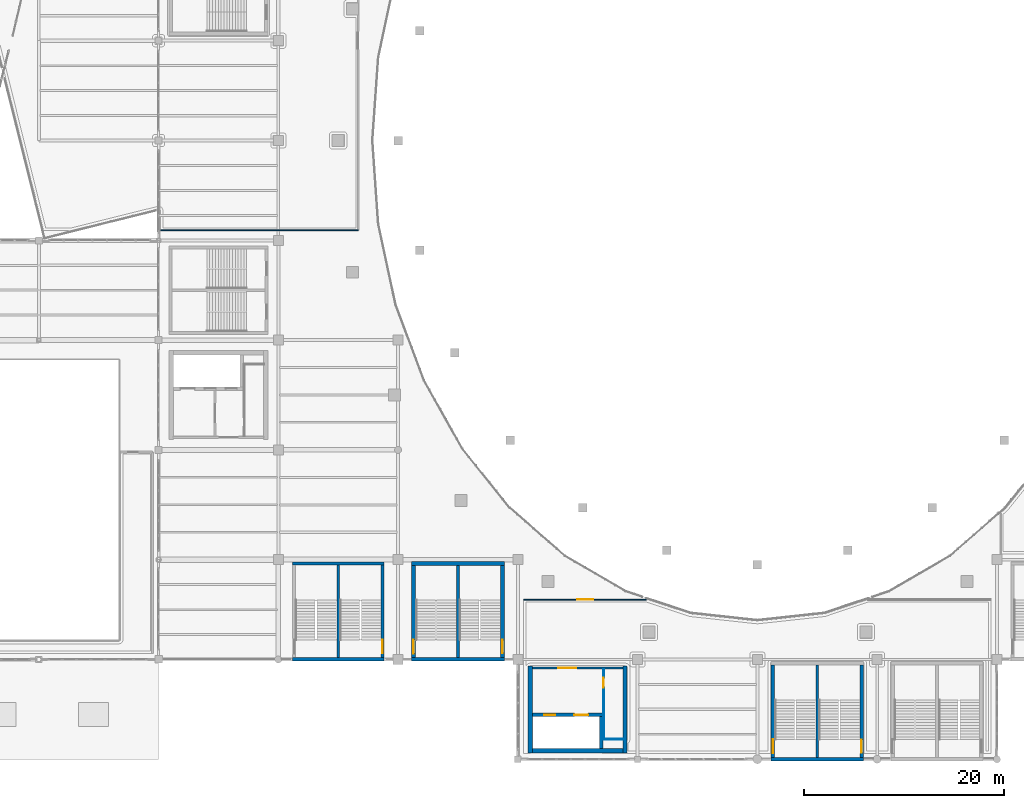
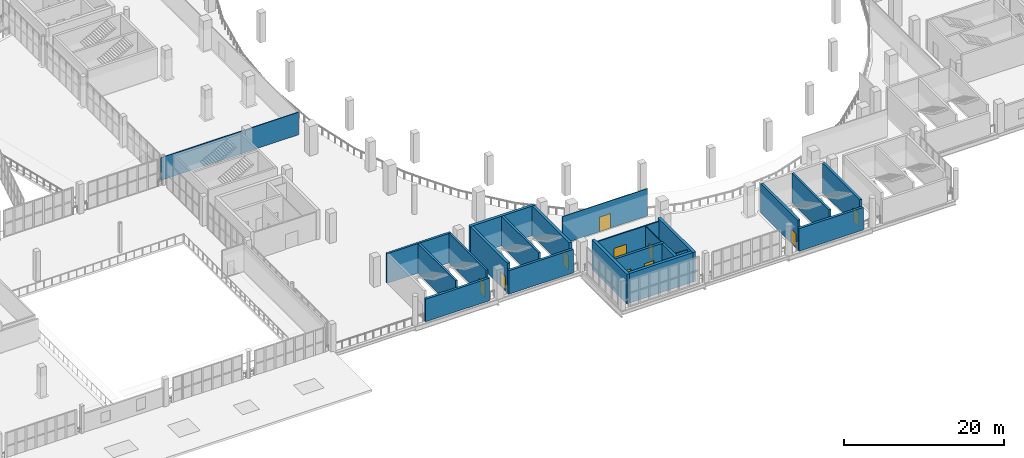
# One storey, part 80 of 108: 23 walls, 10 doors, 10 openings.
"""IFC4 building model written with IfcOpenShell, lengths in metres."""

from ifc_helpers import new_model, si_unit, direction, frame, frame_2d, origin, place, context, subcontext, project, spatial, rectangle, extrude, material, layer, layer_set, type_object, element, fill, save


model = new_model("IFC4")

# Units and contexts
model_context = context("Model", 3, precision=1e-05, world=origin(), true_north=direction((0.0, 1.0)))
body_context = subcontext(model_context, "Body", "Model", "MODEL_VIEW")
ifc_project = project(units=[si_unit("LENGTHUNIT", "METRE"), si_unit("AREAUNIT", "SQUARE_METRE"), si_unit("VOLUMEUNIT", "CUBIC_METRE"), si_unit("PLANEANGLEUNIT", "RADIAN"), si_unit("MASSUNIT", "GRAM", prefix="KILO")], contexts=[model_context])

# Site, building, storey
site_placement = place(None, origin())
site = spatial("IfcSite", under=ifc_project, at=site_placement, CompositionType="ELEMENT")
building_placement = place(site_placement, origin())
building = spatial("IfcBuilding", under=site, at=building_placement, Name="Brinegate Civic Arena", CompositionType="ELEMENT")
storey_placement = place(building_placement, frame((0.0, 0.0, 10.199951171875)))
storey = spatial("IfcBuildingStorey", under=building, at=storey_placement, Name="L02", CompositionType="ELEMENT", Elevation=10.199951171875)

# Wall, opening, door
ifc_material_1 = material(Name="Concrete C50/60", Category="concrete")
ifc_layer_1 = layer(ifc_material_1, 0.35009765625, Name="Concrete C50/60")
ifc_layer_set_1 = layer_set([ifc_layer_1], Name="Concrete C50/60")
wall_type_1 = type_object("IfcWallType", Name="WALL-CORE-SHEAR-350", PredefinedType="SHEAR", material=ifc_layer_set_1)
wall_1_placement = place(storey_placement, frame((109.550048828125, 0.175048828125, 0.0), z_axis=(0.0, 0.0, 1.0), x_axis=(0.0, 1.0, 0.0)))
wall_1 = element("IfcWall", 1, at=wall_1_placement, inside=storey, type_object=wall_type_1, Name="Stair ST-16 West Shear Wall L02 (WBF-23)", PredefinedType="SHEAR", context=body_context, shape_type="SweptSolid", body=[
    extrude(rectangle(XDim=9.25, YDim=0.35009765625, at=frame_2d((4.625, 0.0))), origin(), (0.0, 0.0, 1.0), 4.5),
])
opening_1_placement = place(wall_1_placement, frame((0.425048828125, 0.0, 0.0)))
opening_1 = element("IfcOpeningElement", 2, at=opening_1_placement, cuts=wall_1, Name="Opening D-ST16A-L02", PredefinedType="OPENING", context=body_context, shape_type="SweptSolid", body=[
    extrude(rectangle(XDim=1.39990234375, YDim=2.199951171875, at=frame_2d((0.699951171875, 1.10009765625))), frame((0.0, 0.18505859375, 0.0), z_axis=(0.0, -1.0, 0.0), x_axis=(1.0, 0.0, 0.0)), (0.0, 0.0, 1.0), 0.3701171875),
])
ifc_material_2 = material(Name="Galvanized hurricane steel", Category="steel")
door_type_1 = type_object("IfcDoorType", Name="DOOR-STAIR-2400X2200", OperationType="NOTDEFINED", PredefinedType="DOOR", material=ifc_material_2)
door_1_placement = place(opening_1_placement, frame((1.39990234375, 0.0, 0.0), z_axis=(0.0, 0.0, 1.0), x_axis=(-1.0, 0.0, 0.0)))
door_1 = element("IfcDoor", 3, at=door_1_placement, inside=storey, type_object=door_type_1, Name="Protected Exit Stair Door D-ST16A-L02", OperationType="DOUBLE_DOOR_SINGLE_SWING", OverallHeight=2.199951171875, OverallWidth=1.39990234375, PredefinedType="DOOR", context=body_context, shape_type="SweptSolid", body=[
    extrude(rectangle(XDim=1.39990234375, YDim=2.199951171875, at=frame_2d((0.699951171875, 1.10009765625))), frame((0.0, 0.02490234375, 0.0), z_axis=(0.0, -1.0, 0.0), x_axis=(1.0, 0.0, 0.0)), (0.0, 0.0, 1.0), 0.050048828125),
])
fill(opening_1, door_1)

wall_2_placement = place(storey_placement, frame((118.449951171875, 0.175048828125, 0.0), z_axis=(0.0, 0.0, 1.0), x_axis=(0.0, 1.0, 0.0)))
wall_2 = element("IfcWall", 4, at=wall_2_placement, inside=storey, type_object=wall_type_1, Name="Stair ST-16 East Shear Wall L02 (WBF-24)", PredefinedType="SHEAR", context=body_context, shape_type="SweptSolid", body=[
    extrude(rectangle(XDim=9.25, YDim=0.35009765625, at=frame_2d((4.625, 0.0))), origin(), (0.0, 0.0, 1.0), 4.5),
])
opening_2_placement = place(wall_2_placement, frame((0.465087890625, 0.0, 0.0)))
opening_2 = element("IfcOpeningElement", 5, at=opening_2_placement, cuts=wall_2, Name="Opening D-ST16B-L02", PredefinedType="OPENING", context=body_context, shape_type="SweptSolid", body=[
    extrude(rectangle(XDim=1.320068359375, YDim=2.199951171875, at=frame_2d((0.66015625, 1.10009765625))), frame((0.0, 0.18505859375, 0.0), z_axis=(0.0, -1.0, 0.0), x_axis=(1.0, 0.0, 0.0)), (0.0, 0.0, 1.0), 0.3701171875),
])
door_type_2 = type_object("IfcDoorType", Name="DOOR-STAIR-2200X2200", OperationType="NOTDEFINED", PredefinedType="DOOR", material=ifc_material_2)
door_2_placement = place(opening_2_placement, origin())
door_2 = element("IfcDoor", 6, at=door_2_placement, inside=storey, type_object=door_type_2, Name="Protected Exit Stair Door D-ST16B-L02", OperationType="DOUBLE_DOOR_SINGLE_SWING", OverallHeight=2.199951171875, OverallWidth=1.320068359375, PredefinedType="DOOR", context=body_context, shape_type="SweptSolid", body=[
    extrude(rectangle(XDim=1.320068359375, YDim=2.199951171875, at=frame_2d((0.66015625, 1.10009765625))), frame((0.0, 0.02490234375, 0.0), z_axis=(0.0, -1.0, 0.0), x_axis=(1.0, 0.0, 0.0)), (0.0, 0.0, 1.0), 0.050048828125),
])
fill(opening_2, door_2)

# Wall, openings, doors
wall_3_placement = place(storey_placement, frame((85.4599609375, 4.449951171875, 0.0), z_axis=(0.0, 0.0, 1.0), x_axis=(1.0, 0.0, 0.0)))
wall_3 = element("IfcWall", 7, at=wall_3_placement, inside=storey, type_object=wall_type_1, Name="Core K4 Lift Shaft Front Wall L02 (WBH-19)", PredefinedType="SHEAR", context=body_context, shape_type="SweptSolid", body=[
    extrude(rectangle(XDim=7.06494140625, YDim=0.35009765625, at=frame_2d((3.532470703125, 0.0))), origin(), (0.0, 0.0, 1.0), 4.5),
])
opening_3_placement = place(wall_3_placement, frame((1.18994140625, 0.0, 0.0)))
opening_3 = element("IfcOpeningElement", 8, at=opening_3_placement, cuts=wall_3, Name="Opening LD-PL6-L02", PredefinedType="OPENING", context=body_context, shape_type="SweptSolid", body=[
    extrude(rectangle(XDim=1.10009765625, YDim=2.199951171875, at=frame_2d((0.550048828125, 1.10009765625))), frame((0.0, 0.18505859375, 0.0), z_axis=(0.0, -1.0, 0.0), x_axis=(1.0, 0.0, 0.0)), (0.0, 0.0, 1.0), 0.3701171875),
])
opening_4_placement = place(wall_3_placement, frame((4.18994140625, 0.0, 0.0)))
opening_4 = element("IfcOpeningElement", 9, at=opening_4_placement, cuts=wall_3, Name="Opening LD-GL1-L02", PredefinedType="OPENING", context=body_context, shape_type="SweptSolid", body=[
    extrude(rectangle(XDim=1.39990234375, YDim=2.300048828125, at=frame_2d((0.699951171875, 1.14990234375))), frame((0.0, 0.18505859375, 0.0), z_axis=(0.0, -1.0, 0.0), x_axis=(1.0, 0.0, 0.0)), (0.0, 0.0, 1.0), 0.3701171875),
])
ifc_material_3 = material(Name="Architectural stainless steel balustrade", Category="steel")
door_type_3 = type_object("IfcDoorType", Name="DOOR-LIFT-1100X2200", OperationType="SLIDING_TO_LEFT", PredefinedType="DOOR", material=ifc_material_3)
door_3_placement = place(opening_3_placement, origin())
door_3 = element("IfcDoor", 10, at=door_3_placement, inside=storey, type_object=door_type_3, Name="Sliding Lift Landing Door LD-PL6-L02", OperationType="SLIDING_TO_LEFT", OverallHeight=2.199951171875, OverallWidth=1.10009765625, PredefinedType="DOOR", context=body_context, shape_type="SweptSolid", body=[
    extrude(rectangle(XDim=1.10009765625, YDim=2.199951171875, at=frame_2d((0.550048828125, 1.10009765625))), frame((0.0, 0.02490234375, 0.0), z_axis=(0.0, -1.0, 0.0), x_axis=(1.0, 0.0, 0.0)), (0.0, 0.0, 1.0), 0.050048828125),
])
fill(opening_3, door_3)
door_type_4 = type_object("IfcDoorType", Name="DOOR-LIFT-1400X2300", OperationType="SLIDING_TO_LEFT", PredefinedType="DOOR", material=ifc_material_3)
door_4_placement = place(opening_4_placement, origin())
door_4 = element("IfcDoor", 11, at=door_4_placement, inside=storey, type_object=door_type_4, Name="Sliding Lift Landing Door LD-GL1-L02", OperationType="SLIDING_TO_LEFT", OverallHeight=2.300048828125, OverallWidth=1.39990234375, PredefinedType="DOOR", context=body_context, shape_type="SweptSolid", body=[
    extrude(rectangle(XDim=1.39990234375, YDim=2.300048828125, at=frame_2d((0.699951171875, 1.14990234375))), frame((0.0, 0.02490234375, 0.0), z_axis=(0.0, -1.0, 0.0), x_axis=(1.0, 0.0, 0.0)), (0.0, 0.0, 1.0), 0.050048828125),
])
fill(opening_4, door_4)

# Walls
wall_4_placement = place(storey_placement, frame((92.35009765625, 1.06005859375, 0.0), z_axis=(0.0, 0.0, 1.0), x_axis=(0.0, 1.0, 0.0)))
element("IfcWall", 12, at=wall_4_placement, inside=storey, type_object=wall_type_1, Name="Core K4 Lift Shaft End Wall L02 (WBH-20)", PredefinedType="SHEAR", context=body_context, shape_type="SweptSolid", body=[
    extrude(rectangle(XDim=3.21484375, YDim=0.35009765625, at=frame_2d((1.607421875, 0.0))), origin(), (0.0, 0.0, 1.0), 4.5),
])
ifc_layer_2 = layer(ifc_material_1, 0.389892578125, Name="Concrete C50/60")
ifc_layer_set_2 = layer_set([ifc_layer_2], Name="Concrete C50/60")
wall_type_2 = type_object("IfcWallType", Name="WALL-CORE-SHEAR-390", PredefinedType="SHEAR", material=ifc_layer_set_2)
wall_5_placement = place(storey_placement, frame((73.35498046875, 19.60009765625, 0.0), z_axis=(0.0, 0.0, 1.0), x_axis=(1.0, 0.0, 0.0)))
element("IfcWall", 13, at=wall_5_placement, inside=storey, type_object=wall_type_2, Name="Stair ST-12 North Shear Wall L02 (WBE-16)", PredefinedType="SHEAR", context=body_context, shape_type="SweptSolid", body=[
    extrude(rectangle(XDim=9.2900390625, YDim=0.389892578125, at=frame_2d((4.64501953125, 0.0))), origin(), (0.0, 0.0, 1.0), 4.5),
])

# Wall, opening, door
wall_6_placement = place(storey_placement, frame((73.550048828125, 10.175048828125, 0.0), z_axis=(0.0, 0.0, 1.0), x_axis=(0.0, 1.0, 0.0)))
wall_6 = element("IfcWall", 14, at=wall_6_placement, inside=storey, type_object=wall_type_2, Name="Stair ST-12 West Shear Wall L02 (WBE-17)", PredefinedType="SHEAR", context=body_context, shape_type="SweptSolid", body=[
    extrude(rectangle(XDim=9.22998046875, YDim=0.389892578125, at=frame_2d((4.614990234375, 0.0))), origin(), (0.0, 0.0, 1.0), 4.5),
])
opening_5_placement = place(wall_6_placement, frame((0.425048828125, 0.0, 0.0)))
opening_5 = element("IfcOpeningElement", 15, at=opening_5_placement, cuts=wall_6, Name="Opening D-ST12A-L02", PredefinedType="OPENING", context=body_context, shape_type="SweptSolid", body=[
    extrude(rectangle(XDim=1.39990234375, YDim=2.199951171875, at=frame_2d((0.699951171875, 1.10009765625))), frame((0.0, 0.204833984375, 0.0), z_axis=(0.0, -1.0, 0.0), x_axis=(1.0, 0.0, 0.0)), (0.0, 0.0, 1.0), 0.409912109375),
])
door_5_placement = place(opening_5_placement, frame((1.39990234375, 0.0, 0.0), z_axis=(0.0, 0.0, 1.0), x_axis=(-1.0, 0.0, 0.0)))
door_5 = element("IfcDoor", 16, at=door_5_placement, inside=storey, type_object=door_type_1, Name="Protected Exit Stair Door D-ST12A-L02", OperationType="DOUBLE_DOOR_SINGLE_SWING", OverallHeight=2.199951171875, OverallWidth=1.39990234375, PredefinedType="DOOR", context=body_context, shape_type="SweptSolid", body=[
    extrude(rectangle(XDim=1.39990234375, YDim=2.199951171875, at=frame_2d((0.699951171875, 1.10009765625))), frame((0.0, 0.02490234375, 0.0), z_axis=(0.0, -1.0, 0.0), x_axis=(1.0, 0.0, 0.0)), (0.0, 0.0, 1.0), 0.050048828125),
])
fill(opening_5, door_5)

wall_7_placement = place(storey_placement, frame((82.449951171875, 10.175048828125, 0.0), z_axis=(0.0, 0.0, 1.0), x_axis=(0.0, 1.0, 0.0)))
wall_7 = element("IfcWall", 17, at=wall_7_placement, inside=storey, type_object=wall_type_2, Name="Stair ST-12 East Shear Wall L02 (WBE-18)", PredefinedType="SHEAR", context=body_context, shape_type="SweptSolid", body=[
    extrude(rectangle(XDim=9.22998046875, YDim=0.389892578125, at=frame_2d((4.614990234375, 0.0))), origin(), (0.0, 0.0, 1.0), 4.5),
])
opening_6_placement = place(wall_7_placement, frame((0.465087890625, 0.0, 0.0)))
opening_6 = element("IfcOpeningElement", 18, at=opening_6_placement, cuts=wall_7, Name="Opening D-ST12B-L02", PredefinedType="OPENING", context=body_context, shape_type="SweptSolid", body=[
    extrude(rectangle(XDim=1.320068359375, YDim=2.199951171875, at=frame_2d((0.66015625, 1.10009765625))), frame((0.0, 0.204833984375, 0.0), z_axis=(0.0, -1.0, 0.0), x_axis=(1.0, 0.0, 0.0)), (0.0, 0.0, 1.0), 0.409912109375),
])
door_6_placement = place(opening_6_placement, origin())
door_6 = element("IfcDoor", 19, at=door_6_placement, inside=storey, type_object=door_type_2, Name="Protected Exit Stair Door D-ST12B-L02", OperationType="DOUBLE_DOOR_SINGLE_SWING", OverallHeight=2.199951171875, OverallWidth=1.320068359375, PredefinedType="DOOR", context=body_context, shape_type="SweptSolid", body=[
    extrude(rectangle(XDim=1.320068359375, YDim=2.199951171875, at=frame_2d((0.66015625, 1.10009765625))), frame((0.0, 0.02490234375, 0.0), z_axis=(0.0, -1.0, 0.0), x_axis=(1.0, 0.0, 0.0)), (0.0, 0.0, 1.0), 0.050048828125),
])
fill(opening_6, door_6)

# Walls
ifc_layer_3 = layer(ifc_material_1, 0.419921875, Name="Concrete C50/60")
ifc_layer_set_3 = layer_set([ifc_layer_3], Name="Concrete C50/60")
wall_type_3 = type_object("IfcWallType", Name="WALL-CORE-SHEAR-420", PredefinedType="SHEAR", material=ifc_layer_set_3)
for number, where, z_axis, x_axis, name in (
    (20, (85.25, 0.639892578125, 0.0), (0.0, 0.0, 1.0), (0.0, 1.0, 0.0), "Core K4 West Shear Wall L02 (WBH-16)"),
    (21, (94.75, 0.639892578125, 0.0), (0.0, 0.0, 1.0), (0.0, 1.0, 0.0), "Core K4 East Shear Wall L02 (WBH-17)"),
):
    element("IfcWall", number, at=place(storey_placement, frame(where, z_axis=z_axis, x_axis=x_axis)), inside=storey, type_object=wall_type_3, Name=name, PredefinedType="SHEAR", context=body_context, shape_type="SweptSolid", body=[
        extrude(rectangle(XDim=8.72021484375, YDim=0.419921875, at=frame_2d((4.360107421875, 0.0))), origin(), (0.0, 0.0, 1.0), 4.5),
    ])
wall_8_placement = place(storey_placement, frame((85.4599609375, 0.85009765625, 0.0), z_axis=(0.0, 0.0, 1.0), x_axis=(1.0, 0.0, 0.0)))
element("IfcWall", 22, at=wall_8_placement, inside=storey, type_object=wall_type_3, Name="Core K4 South Shear Wall L02 (WBH-18)", PredefinedType="SHEAR", context=body_context, shape_type="SweptSolid", body=[
    extrude(rectangle(XDim=9.080078125, YDim=0.419921875, at=frame_2d((4.5400390625, 0.0))), origin(), (0.0, 0.0, 1.0), 4.5),
])
ifc_layer_4 = layer(ifc_material_1, 0.35009765625, Name="Concrete C50/60")
ifc_layer_set_4 = layer_set([ifc_layer_4], Name="Concrete C50/60")
wall_type_4 = type_object("IfcWallType", Name="WALL-EXT-STAIR-SHEAR-350", PredefinedType="SHEAR", material=ifc_layer_set_4)
wall_9_placement = place(storey_placement, frame((61.405029296875, 10.0, 0.0), z_axis=(0.0, 0.0, 1.0), x_axis=(1.0, 0.0, 0.0)))
element("IfcWall", 23, at=wall_9_placement, inside=storey, type_object=wall_type_4, Name="Stair ST-02 South Shear Wall L02 (WBB-42)", PredefinedType="SHEAR", context=body_context, shape_type="SweptSolid", body=[
    extrude(rectangle(XDim=9.18994140625, YDim=0.35009765625, at=frame_2d((4.594970703125, 0.0))), origin(), (0.0, 0.0, 1.0), 3.43701171875),
])
wall_10_placement = place(storey_placement, frame((73.35498046875, 10.0, 0.0), z_axis=(0.0, 0.0, 1.0), x_axis=(1.0, 0.0, 0.0)))
element("IfcWall", 24, at=wall_10_placement, inside=storey, type_object=wall_type_4, Name="Stair ST-12 South Shear Wall L02 (WBE-15)", PredefinedType="SHEAR", context=body_context, shape_type="SweptSolid", body=[
    extrude(rectangle(XDim=9.2900390625, YDim=0.35009765625, at=frame_2d((4.64501953125, 0.0))), origin(), (0.0, 0.0, 1.0), 3.5859375),
])
wall_11_placement = place(storey_placement, frame((109.375, 0.0, 0.0), z_axis=(0.0, 0.0, 1.0), x_axis=(1.0, 0.0, 0.0)))
element("IfcWall", 25, at=wall_11_placement, inside=storey, type_object=wall_type_4, Name="Stair ST-16 South Shear Wall L02 (WBF-21)", PredefinedType="SHEAR", context=body_context, shape_type="SweptSolid", body=[
    extrude(rectangle(XDim=9.25, YDim=0.35009765625, at=frame_2d((4.625, 0.0))), origin(), (0.0, 0.0, 1.0), 3.43701171875),
])

# Wall, opening, door
ifc_material_4 = material(Name="Concrete blockwork masonry", Category="masonry")
ifc_layer_5 = layer(ifc_material_4, 0.18994140625, Name="Concrete blockwork masonry")
ifc_layer_set_5 = layer_set([ifc_layer_5], Name="Concrete blockwork masonry")
wall_type_5 = type_object("IfcWallType", Name="WALL-PART-RATED-190", PredefinedType="PARTITIONING", material=ifc_layer_set_5)
wall_12_placement = place(storey_placement, frame((85.469970703125, 9.14990234375, 0.0), z_axis=(0.0, 0.0, 1.0), x_axis=(1.0, 0.0, 0.0)))
wall_12 = element("IfcWall", 26, at=wall_12_placement, inside=storey, type_object=wall_type_5, Name="Core K4 Concourse Lobby Wall L02 (WBH-21)", PredefinedType="PARTITIONING", context=body_context, shape_type="SweptSolid", body=[
    extrude(rectangle(XDim=9.06005859375, YDim=0.18994140625, at=frame_2d((4.530029296875, 0.0))), origin(), (0.0, 0.0, 1.0), 4.150146484375),
])
opening_7_placement = place(wall_12_placement, frame((2.60009765625, 0.0, 0.0)))
opening_7 = element("IfcOpeningElement", 27, at=opening_7_placement, cuts=wall_12, Name="Opening D-K4L-L02", PredefinedType="OPENING", context=body_context, shape_type="SweptSolid", body=[
    extrude(rectangle(XDim=1.800048828125, YDim=2.300048828125, at=frame_2d((0.89990234375, 1.14990234375))), frame((0.0, 0.10498046875, 0.0), z_axis=(0.0, -1.0, 0.0), x_axis=(1.0, 0.0, 0.0)), (0.0, 0.0, 1.0), 0.2099609375),
])
ifc_material_5 = material(Name="Marine grade aluminium", Category="aluminium")
door_type_5 = type_object("IfcDoorType", Name="DOOR-CONC-1800X2300", OperationType="NOTDEFINED", PredefinedType="DOOR", material=ifc_material_5)
door_7_placement = place(opening_7_placement, origin())
door_7 = element("IfcDoor", 28, at=door_7_placement, inside=storey, type_object=door_type_5, Name="Lift Lobby Door D-K4L-L02", OperationType="DOUBLE_DOOR_SINGLE_SWING", OverallHeight=2.300048828125, OverallWidth=1.800048828125, PredefinedType="DOOR", context=body_context, shape_type="SweptSolid", body=[
    extrude(rectangle(XDim=1.800048828125, YDim=2.300048828125, at=frame_2d((0.89990234375, 1.14990234375))), frame((0.0, 0.02490234375, 0.0), z_axis=(0.0, -1.0, 0.0), x_axis=(1.0, 0.0, 0.0)), (0.0, 0.0, 1.0), 0.050048828125),
])
fill(opening_7, door_7)

# Wall
ifc_material_6 = material(Name="Fire-rated gypsum partition assembly")
ifc_layer_6 = layer(ifc_material_6, 0.114990234375, Name="Fire-rated gypsum partition assembly")
ifc_layer_set_6 = layer_set([ifc_layer_6], Name="Fire-rated gypsum partition assembly")
wall_type_6 = type_object("IfcWallType", Name="WALL-PART-STD-115", PredefinedType="PARTITIONING", material=ifc_layer_set_6)
wall_13_placement = place(storey_placement, frame((68.0, 53.0, 0.0), z_axis=(0.0, 0.0, 1.0), x_axis=(-1.0, 0.0, 0.0)))
element("IfcWall", 29, at=wall_13_placement, inside=storey, type_object=wall_type_6, Name="Bahamas Founders VIP Club Lounge Partition Wall E48 (WBJ-19)", PredefinedType="PARTITIONING", context=body_context, shape_type="SweptSolid", body=[
    extrude(rectangle(XDim=19.800048828125, YDim=0.114990234375, at=frame_2d((9.89990234375, 0.0))), origin(), (0.0, 0.0, 1.0), 3.43701171875),
])

# Wall, opening, door
ifc_layer_7 = layer(ifc_material_4, 0.10009765625, Name="Concrete blockwork masonry")
ifc_layer_set_7 = layer_set([ifc_layer_7], Name="Concrete blockwork masonry")
wall_type_7 = type_object("IfcWallType", Name="WALL-PART-WET-100", PredefinedType="PARTITIONING", material=ifc_layer_set_7)
wall_14_placement = place(storey_placement, frame((92.60009765625, 2.0, 0.0), z_axis=(0.0, 0.0, 1.0), x_axis=(0.0, 1.0, 0.0)))
wall_14 = element("IfcWall", 30, at=wall_14_placement, inside=storey, type_object=wall_type_7, Name="Accessible WC K4 Partition L02 (WBH-22)", PredefinedType="PARTITIONING", context=body_context, shape_type="SweptSolid", body=[
    extrude(rectangle(XDim=7.050048828125, YDim=0.10009765625, at=frame_2d((3.52490234375, 0.0))), origin(), (0.0, 0.0, 1.0), 4.150146484375),
])
opening_8_placement = place(wall_14_placement, frame((5.14990234375, 0.0, 0.0)))
opening_8 = element("IfcOpeningElement", 31, at=opening_8_placement, cuts=wall_14, Name="Opening D-K4W-L02", PredefinedType="OPENING", context=body_context, shape_type="SweptSolid", body=[
    extrude(rectangle(XDim=1.0, YDim=2.10009765625, at=frame_2d((0.5, 1.050048828125))), frame((0.0, 0.06005859375, 0.0), z_axis=(0.0, -1.0, 0.0), x_axis=(1.0, 0.0, 0.0)), (0.0, 0.0, 1.0), 0.1201171875),
])
ifc_material_7 = material(Name="Hardwood acoustic timber door", Category="wood")
door_type_6 = type_object("IfcDoorType", Name="DOOR-AWC-1000X2100", OperationType="NOTDEFINED", PredefinedType="DOOR", material=ifc_material_7)
door_8_placement = place(opening_8_placement, origin())
door_8 = element("IfcDoor", 32, at=door_8_placement, inside=storey, type_object=door_type_6, Name="Accessible WC Door D-K4W-L02", OperationType="SINGLE_SWING_LEFT", OverallHeight=2.10009765625, OverallWidth=1.0, PredefinedType="DOOR", context=body_context, shape_type="SweptSolid", body=[
    extrude(rectangle(XDim=1.0, YDim=2.10009765625, at=frame_2d((0.5, 1.050048828125))), frame((0.0, 0.02490234375, 0.0), z_axis=(0.0, -1.0, 0.0), x_axis=(1.0, 0.0, 0.0)), (0.0, 0.0, 1.0), 0.050048828125),
])
fill(opening_8, door_8)

# Wall
wall_15_placement = place(storey_placement, frame((92.60009765625, 2.0, 0.0), z_axis=(0.0, 0.0, 1.0), x_axis=(1.0, 0.0, 0.0)))
element("IfcWall", 33, at=wall_15_placement, inside=storey, type_object=wall_type_7, Name="Accessible WC K4 Back Partition L02 (WBH-23)", PredefinedType="PARTITIONING", context=body_context, shape_type="SweptSolid", body=[
    extrude(rectangle(XDim=2.0, YDim=0.10009765625, at=frame_2d((1.0, 0.0))), origin(), (0.0, 0.0, 1.0), 4.150146484375),
])

# Wall, opening, door
wall_16_placement = place(storey_placement, frame((84.60009765625, 16.0, 0.0), z_axis=(0.0, 0.0, 1.0), x_axis=(1.0, 0.0, 0.0)))
wall_16 = element("IfcWall", 34, at=wall_16_placement, inside=storey, type_object=wall_type_7, Name="Harbour Sunset Dining Room Partition Wall E119 (WBJ-20)", PredefinedType="PARTITIONING", context=body_context, shape_type="SweptSolid", body=[
    extrude(rectangle(XDim=12.27978515625, YDim=0.10009765625, at=frame_2d((6.139892578125, 0.0))), origin(), (0.0, 0.0, 1.0), 4.150146484375),
])
opening_9_placement = place(wall_16_placement, frame((5.340087890625, 0.0, 0.0)))
opening_9 = element("IfcOpeningElement", 35, at=opening_9_placement, cuts=wall_16, Name="Opening D-L02-182", PredefinedType="OPENING", context=body_context, shape_type="SweptSolid", body=[
    extrude(rectangle(XDim=1.60009765625, YDim=2.199951171875, at=frame_2d((0.800048828125, 1.10009765625))), frame((0.0, 0.06005859375, 0.0), z_axis=(0.0, -1.0, 0.0), x_axis=(1.0, 0.0, 0.0)), (0.0, 0.0, 1.0), 0.1201171875),
])
door_type_7 = type_object("IfcDoorType", Name="DOOR-CLUB-1600X2200", OperationType="NOTDEFINED", PredefinedType="DOOR", material=ifc_material_7)
door_9_placement = place(opening_9_placement, origin())
door_9 = element("IfcDoor", 36, at=door_9_placement, inside=storey, type_object=door_type_7, Name="Harbour Sunset Dining Room Door D-L02-182", OperationType="DOUBLE_DOOR_SINGLE_SWING", OverallHeight=2.199951171875, OverallWidth=1.60009765625, PredefinedType="DOOR", context=body_context, shape_type="SweptSolid", body=[
    extrude(rectangle(XDim=1.60009765625, YDim=2.199951171875, at=frame_2d((0.800048828125, 1.10009765625))), frame((0.0, 0.02490234375, 0.0), z_axis=(0.0, -1.0, 0.0), x_axis=(1.0, 0.0, 0.0)), (0.0, 0.0, 1.0), 0.050048828125),
])
fill(opening_9, door_9)

# Wall
ifc_layer_8 = layer(ifc_material_1, 0.2900390625, Name="Concrete C50/60")
ifc_layer_set_8 = layer_set([ifc_layer_8], Name="Concrete C50/60")
wall_type_8 = type_object("IfcWallType", Name="WALL-STAIR-SHEAR-290", PredefinedType="SHEAR", material=ifc_layer_set_8)
wall_17_placement = place(storey_placement, frame((61.405029296875, 19.60009765625, 0.0), z_axis=(0.0, 0.0, 1.0), x_axis=(1.0, 0.0, 0.0)))
element("IfcWall", 37, at=wall_17_placement, inside=storey, type_object=wall_type_8, Name="Stair ST-02 North Shear Wall L02 (WBB-43)", PredefinedType="SHEAR", context=body_context, shape_type="SweptSolid", body=[
    extrude(rectangle(XDim=9.18994140625, YDim=0.2900390625, at=frame_2d((4.594970703125, 0.0))), origin(), (0.0, 0.0, 1.0), 4.5),
])

# Wall, opening, door
wall_18_placement = place(storey_placement, frame((70.449951171875, 10.175048828125, 0.0), z_axis=(0.0, 0.0, 1.0), x_axis=(0.0, 1.0, 0.0)))
wall_18 = element("IfcWall", 38, at=wall_18_placement, inside=storey, type_object=wall_type_8, Name="Stair ST-02 East Shear Wall L02 (WBB-45)", PredefinedType="SHEAR", context=body_context, shape_type="SweptSolid", body=[
    extrude(rectangle(XDim=9.280029296875, YDim=0.2900390625, at=frame_2d((4.64013671875, 0.0))), origin(), (0.0, 0.0, 1.0), 4.5),
])
opening_10_placement = place(wall_18_placement, frame((0.465087890625, 0.0, 0.0)))
opening_10 = element("IfcOpeningElement", 39, at=opening_10_placement, cuts=wall_18, Name="Opening D-ST02B-L02", PredefinedType="OPENING", context=body_context, shape_type="SweptSolid", body=[
    extrude(rectangle(XDim=1.320068359375, YDim=2.199951171875, at=frame_2d((0.66015625, 1.10009765625))), frame((0.0, 0.155029296875, 0.0), z_axis=(0.0, -1.0, 0.0), x_axis=(1.0, 0.0, 0.0)), (0.0, 0.0, 1.0), 0.31005859375),
])
door_10_placement = place(opening_10_placement, origin())
door_10 = element("IfcDoor", 40, at=door_10_placement, inside=storey, type_object=door_type_2, Name="Protected Exit Stair Door D-ST02B-L02", OperationType="DOUBLE_DOOR_SINGLE_SWING", OverallHeight=2.199951171875, OverallWidth=1.320068359375, PredefinedType="DOOR", context=body_context, shape_type="SweptSolid", body=[
    extrude(rectangle(XDim=1.320068359375, YDim=2.199951171875, at=frame_2d((0.66015625, 1.10009765625))), frame((0.0, 0.02490234375, 0.0), z_axis=(0.0, -1.0, 0.0), x_axis=(1.0, 0.0, 0.0)), (0.0, 0.0, 1.0), 0.050048828125),
])
fill(opening_10, door_10)

# Walls
wall_19_placement = place(storey_placement, frame((66.0, 10.175048828125, 0.0), z_axis=(0.0, 0.0, 1.0), x_axis=(0.0, 1.0, 0.0)))
element("IfcWall", 41, at=wall_19_placement, inside=storey, type_object=wall_type_8, Name="Stair ST-02 Central Dividing Shear Wall L02 (WBB-46)", PredefinedType="SHEAR", context=body_context, shape_type="SweptSolid", body=[
    extrude(rectangle(XDim=9.280029296875, YDim=0.2900390625, at=frame_2d((4.64013671875, 0.0))), origin(), (0.0, 0.0, 1.0), 4.5),
])
wall_20_placement = place(storey_placement, frame((78.0, 10.175048828125, 0.0), z_axis=(0.0, 0.0, 1.0), x_axis=(0.0, 1.0, 0.0)))
element("IfcWall", 42, at=wall_20_placement, inside=storey, type_object=wall_type_8, Name="Stair ST-12 Central Dividing Shear Wall L02 (WBE-19)", PredefinedType="SHEAR", context=body_context, shape_type="SweptSolid", body=[
    extrude(rectangle(XDim=9.22998046875, YDim=0.2900390625, at=frame_2d((4.614990234375, 0.0))), origin(), (0.0, 0.0, 1.0), 4.5),
])
wall_21_placement = place(storey_placement, frame((114.0, 0.175048828125, 0.0), z_axis=(0.0, 0.0, 1.0), x_axis=(0.0, 1.0, 0.0)))
element("IfcWall", 43, at=wall_21_placement, inside=storey, type_object=wall_type_8, Name="Stair ST-16 Central Dividing Shear Wall L02 (WBF-25)", PredefinedType="SHEAR", context=body_context, shape_type="SweptSolid", body=[
    extrude(rectangle(XDim=9.25, YDim=0.2900390625, at=frame_2d((4.625, 0.0))), origin(), (0.0, 0.0, 1.0), 4.5),
])

save(model, "model.ifc")
